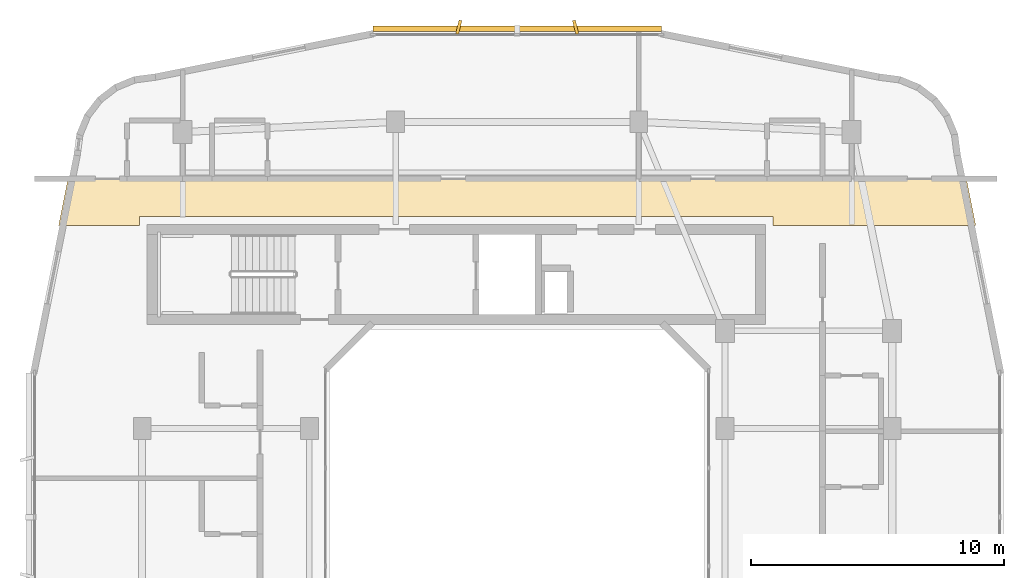
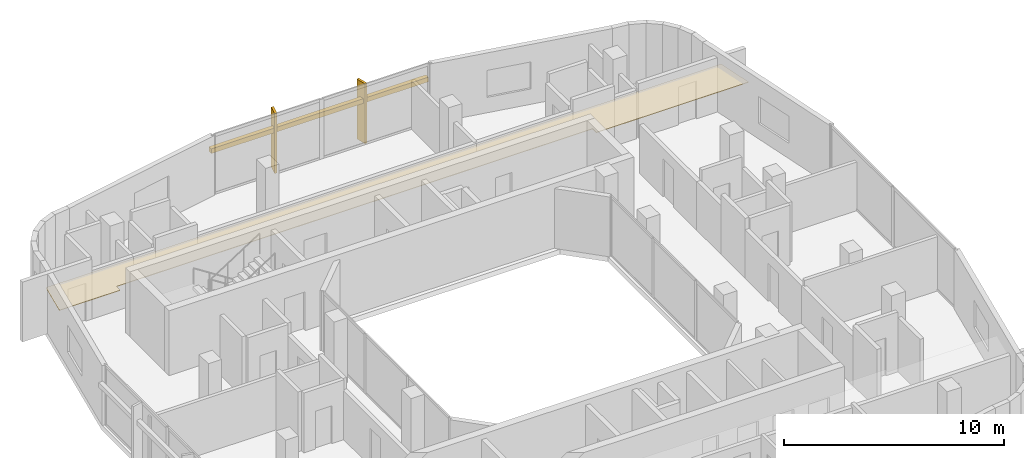
# One storey, part 14 of 14: 3 shading devices, 1 covering.
"""IFC4 building model written with IfcOpenShell, lengths in metres."""

from ifc_helpers import new_model, si_unit, derived_unit, direction, frame, origin, origin_2d, place, context, subcontext, project, spatial, polyline, rectangle, outline, extrude, material, layer, layer_set, type_object, element, save


model = new_model("IFC4")

# Units and contexts
model_context = context("Model", 3, precision=1e-05, world=origin(), true_north=direction((0.0, 1.0)))
body_context = subcontext(model_context, "Body", "Model", "MODEL_VIEW")
ifc_project = project(units=[si_unit("LENGTHUNIT", "METRE"), si_unit("AREAUNIT", "SQUARE_METRE"), si_unit("VOLUMEUNIT", "CUBIC_METRE"), si_unit("PLANEANGLEUNIT", "RADIAN"), si_unit("MASSUNIT", "GRAM", prefix="KILO"), derived_unit("THERMALTRANSMITTANCEUNIT", [(si_unit("POWERUNIT", "WATT"), 1), (si_unit("LENGTHUNIT", "METRE"), -2), (si_unit("THERMODYNAMICTEMPERATUREUNIT", "KELVIN"), -1)])], contexts=[model_context])

# Site, building, storey
site_placement = place(None, origin())
site = spatial("IfcSite", under=ifc_project, at=site_placement, CompositionType="ELEMENT")
building_placement = place(site_placement, origin())
building = spatial("IfcBuilding", under=site, at=building_placement, Name="Kivonza Crest Hotel", CompositionType="ELEMENT")
storey_placement = place(building_placement, frame((0.0, 0.0, 206.300048828125)))
storey = spatial("IfcBuildingStorey", under=building, at=storey_placement, Name="L56", CompositionType="ELEMENT", Elevation=206.300048828125)

# Covering
ifc_material_1 = material(Name="Moisture-resistant gypsum plasterboard ceiling", Category="gypsum")
ifc_layer = layer(ifc_material_1, 0.030029296875)
ifc_layer_set = layer_set([ifc_layer], Name="Moisture-resistant gypsum plasterboard ceiling")
covering_type = type_object("IfcCoveringType", Name="CV-CEIL-GYP", PredefinedType="CEILING", material=ifc_layer_set)
covering_placement = place(storey_placement, frame((0.0, 0.0, 2.449951171875)))
element("IfcCovering", 1, at=covering_placement, inside=storey, type_object=covering_type, Name="L56 Hotel North Guest Corridor suspended ceiling", PredefinedType="CEILING", context=body_context, shape_type="SweptSolid", body=[
    extrude(outline(polyline([(3.278076171875, 38.389892578125), (2.906005859375, 36.52001953125), (6.10009765625, 36.52001953125), (6.10009765625, 36.860107421875), (31.10009765625, 36.860107421875), (31.10009765625, 36.52001953125), (39.093994140625, 36.52001953125), (38.721923828125, 38.389892578125), (3.278076171875, 38.389892578125)])), origin(), (0.0, 0.0, 1.0), 0.030029296875),
])

# Shading devices
ifc_material_2 = material(Name="Kiln-fired Nairobi red-ochre terracotta", Category="masonry")
shading_device_type_1 = type_object("IfcShadingDeviceType", Name="SH-BAGUETTE-300", PredefinedType="USERDEFINED", material=ifc_material_2)
shading_device_placement = place(storey_placement, frame((21.0, 44.280029296875, 2.19384765625), z_axis=(0.0, 0.0, 1.0), x_axis=(-1.0, 0.0, 0.0)))
element("IfcShadingDevice", 2, at=shading_device_placement, inside=storey, type_object=shading_device_type_1, Name="L56 terracotta baguette screen CW-T1-L56-26", ObjectType="BAGUETTE", PredefinedType="USERDEFINED", context=body_context, shape_type="SweptSolid", body=[
    extrude(rectangle(XDim=11.39990234375, YDim=0.219970703125, at=origin_2d()), origin(), (0.0, 0.0, 1.0), 0.260009765625),
])
ifc_material_3 = material(Name="Kiln-fired terracotta over extruded aluminium spine", Category="masonry")
shading_device_type_2 = type_object("IfcShadingDeviceType", Name="SH-FIN-550", PredefinedType="USERDEFINED", material=ifc_material_3)
for number, where, z_axis, x_axis, name in (
    (3, (23.303955078125, 44.340087890625, 0.0), (0.0, 0.0, 1.0), (-0.970295726276, -0.2419218956, 0.0), "L56 vertical solar shading fin CW-T1-L56-26-1"),
    (4, (18.696044921875, 44.340087890625, 0.0), (0.0, 0.0, 1.0), (-0.970295726276, 0.2419218956, 0.0), "L56 vertical solar shading fin CW-T1-L56-26-2"),
):
    element("IfcShadingDevice", number, at=place(storey_placement, frame(where, z_axis=z_axis, x_axis=x_axis)), inside=storey, type_object=shading_device_type_2, Name=name, ObjectType="FIN", PredefinedType="USERDEFINED", context=body_context, shape_type="SweptSolid", body=[
        extrude(rectangle(XDim=0.1201171875, YDim=0.550048828125, at=origin_2d()), origin(), (0.0, 0.0, 1.0), 3.320068359375),
    ])

save(model, "model.ifc")
